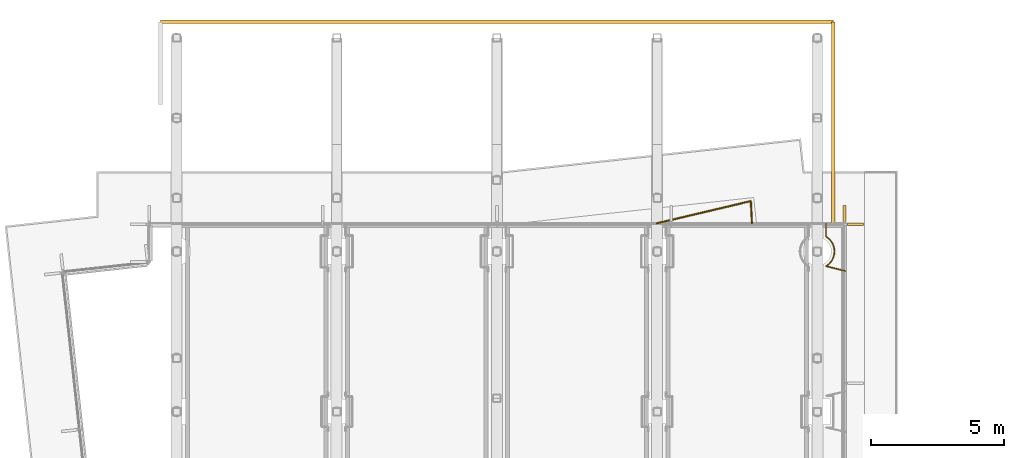
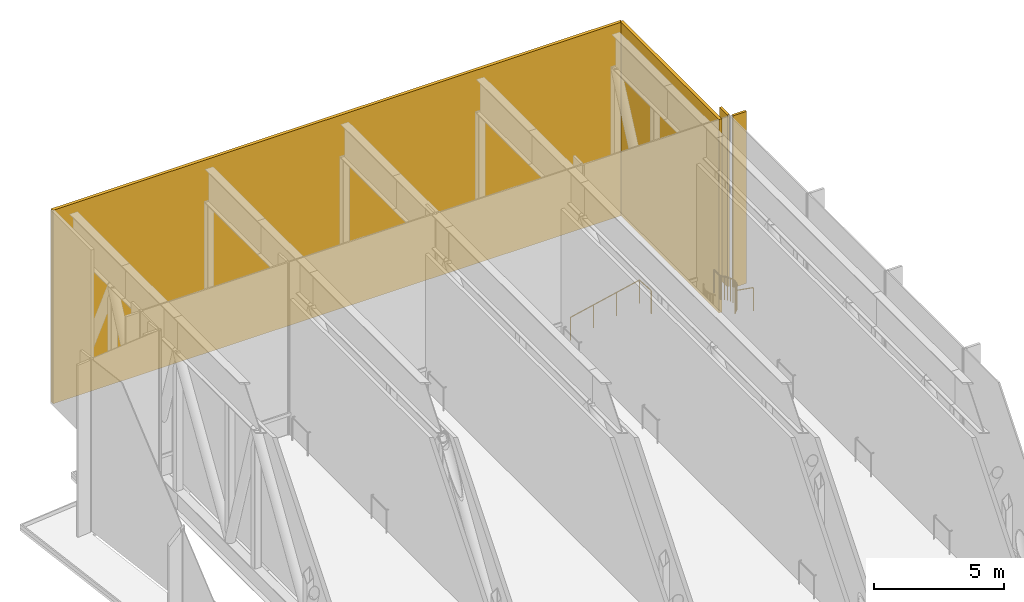
# One storey, part 22 of 22: 4 coverings, 2 railings.
"""IFC4 building model written with IfcOpenShell, lengths in metres."""

from ifc_helpers import new_model, si_unit, direction, frame, origin, origin_2d, place, context, subcontext, project, spatial, polyline, rectangle, circle, outline, extrude, material, layer, layer_set, type_object, element, save


model = new_model("IFC4")

# Units and contexts
model_context = context("Model", 3, precision=1e-05, world=origin(), true_north=direction((0.0, 1.0)))
body_context = subcontext(model_context, "Body", "Model", "MODEL_VIEW")
ifc_project = project(units=[si_unit("LENGTHUNIT", "METRE"), si_unit("AREAUNIT", "SQUARE_METRE"), si_unit("VOLUMEUNIT", "CUBIC_METRE"), si_unit("PLANEANGLEUNIT", "RADIAN"), si_unit("MASSUNIT", "GRAM", prefix="KILO")], contexts=[model_context])

# Site, building, storey
site_placement = place(None, origin())
site = spatial("IfcSite", under=ifc_project, at=site_placement, CompositionType="ELEMENT")
building_placement = place(site_placement, origin())
building = spatial("IfcBuilding", under=site, at=building_placement, Name="Welwitschia Terrace Campus", CompositionType="ELEMENT")
storey_placement = place(building_placement, frame((0.0, 0.0, 197.0)))
storey = spatial("IfcBuildingStorey", under=building, at=storey_placement, Name="L44", CompositionType="ELEMENT", Elevation=197.0)

# Coverings
ifc_material_1 = material(Name="Bronze anodised aluminium", Category="aluminium")
ifc_layer_1 = layer(ifc_material_1, 0.10009765625)
ifc_layer_set_1 = layer_set([ifc_layer_1], Name="Bronze anodised aluminium")
covering_type_1 = type_object("IfcCoveringType", Name="Bronze fin 100x600", PredefinedType="USERDEFINED", material=ifc_layer_set_1)
for number, where, z_axis, x_axis, name in (
    (1, (25.429931640625, 63.02001953125, 0.0), (0.0, 0.0, 1.0), (0.0, 1.0, 0.0), "Fin L44.4.5"),
    (2, (25.02001953125, 63.429931640625, 0.0), (0.0, 0.0, 1.0), (-1.0, 0.0, 0.0), "Fin L44.5.0"),
):
    element("IfcCovering", number, at=place(storey_placement, frame(where, z_axis=z_axis, x_axis=x_axis)), inside=storey, type_object=covering_type_1, Name=name, ObjectType="FIN", PredefinedType="USERDEFINED", context=body_context, shape_type="SweptSolid", body=[
        extrude(rectangle(XDim=0.10009765625, YDim=0.60009765625, at=origin_2d()), origin(), (0.0, 0.0, 1.0), 8.050048828125),
    ])

# Railings
ifc_material_2 = material(Name="Stainless steel grade 316", Category="steel")
railing_type = type_object("IfcRailingType", Name="Guard 1100", PredefinedType="GUARDRAIL", material=ifc_material_2)
railing_1_placement = place(storey_placement, frame((17.981689453125, 63.050048828125, 0.0)))
element("IfcRailing", 3, at=railing_1_placement, inside=storey, type_object=railing_type, Name="Guard floor edge L44.1", PredefinedType="GUARDRAIL", context=body_context, shape_type="SweptSolid", body=[
    extrude(circle(Radius=0.02392578125, at=origin_2d()), frame((0.0, 0.0, 1.076171875), z_axis=(0.973042544186, 0.230625686349, 0.0), x_axis=(-0.230625686349, 0.973042544186, 0.0)), (0.0, 0.0, 1.0), 3.6279296875),
    extrude(circle(Radius=0.02392578125, at=origin_2d()), frame((3.530029296875, 0.836669921875, 1.076171875), z_axis=(0.050417270396, -0.998728240737, 0.0), x_axis=(0.998728240737, 0.050417270396, 0.0)), (0.0, 0.0, 1.0), 0.837646484375),
    extrude(circle(Radius=0.02099609375, at=origin_2d()), origin(), (0.0, 0.0, 1.0), 1.052001953125),
    extrude(circle(Radius=0.02099609375, at=origin_2d()), frame((1.1767578125, 0.27880859375, 0.0)), (0.0, 0.0, 1.0), 1.052001953125),
    extrude(circle(Radius=0.02099609375, at=origin_2d()), frame((2.353271484375, 0.557861328125, 0.0)), (0.0, 0.0, 1.0), 1.052001953125),
    extrude(circle(Radius=0.02099609375, at=origin_2d()), frame((3.530029296875, 0.836669921875, 0.0)), (0.0, 0.0, 1.0), 1.052001953125),
    extrude(circle(Radius=0.02099609375, at=origin_2d()), frame((3.572265625, 0.0, 0.0)), (0.0, 0.0, 1.0), 1.052001953125),
])
railing_2_placement = place(storey_placement, frame((25.050048828125, 61.2666015625, 0.0)))
element("IfcRailing", 4, at=railing_2_placement, inside=storey, type_object=railing_type, Name="Guard floor edge L44.7", PredefinedType="GUARDRAIL", context=body_context, shape_type="SweptSolid", body=[
    extrude(circle(Radius=0.02392578125, at=origin_2d()), frame((0.0, 0.0, 1.076171875), z_axis=(-0.969695991308, 0.244314724158, 0.0), x_axis=(-0.244314724158, -0.969695991308, 0.0)), (0.0, 0.0, 1.0), 0.742431640625),
    extrude(circle(Radius=0.02392578125, at=origin_2d()), frame((-0.719970703125, 0.181396484375, 1.076171875), z_axis=(0.883604146744, 0.468234676052, 0.0), x_axis=(-0.468234676052, 0.883604146744, 0.0)), (0.0, 0.0, 1.0), 0.0322265625),
    extrude(circle(Radius=0.02392578125, at=origin_2d()), frame((-0.69140625, 0.196533203125, 1.076171875), z_axis=(0.773097611008, 0.634287067386, 0.0), x_axis=(-0.634287067386, 0.773097611008, 0.0)), (0.0, 0.0, 1.0), 0.126708984375),
    extrude(circle(Radius=0.02392578125, at=origin_2d()), frame((-0.593505859375, 0.27685546875, 1.076171875), z_axis=(0.634287067386, 0.773097611008, 0.0), x_axis=(-0.773097611008, 0.634287067386, 0.0)), (0.0, 0.0, 1.0), 0.126708984375),
    extrude(circle(Radius=0.02392578125, at=origin_2d()), frame((-0.51318359375, 0.374755859375, 1.076171875), z_axis=(0.470988937455, 0.882139116463, 0.0), x_axis=(-0.882139116463, 0.470988937455, 0.0)), (0.0, 0.0, 1.0), 0.12646484375),
    extrude(circle(Radius=0.02392578125, at=origin_2d()), frame((-0.45361328125, 0.486328125, 1.076171875), z_axis=(0.291238363653, 0.956650519018, 0.0), x_axis=(-0.956650519018, 0.291238363653, 0.0)), (0.0, 0.0, 1.0), 0.12646484375),
    extrude(circle(Radius=0.02392578125, at=origin_2d()), frame((-0.416748046875, 0.607421875, 1.076171875), z_axis=(0.096447487817, 0.995338074271, 0.0), x_axis=(-0.995338074271, 0.096447487817, 0.0)), (0.0, 0.0, 1.0), 0.12646484375),
    extrude(circle(Radius=0.02392578125, at=origin_2d()), frame((-0.404541015625, 0.7333984375, 1.076171875), z_axis=(-0.096447487817, 0.995338074271, 0.0), x_axis=(-0.995338074271, -0.096447487817, 0.0)), (0.0, 0.0, 1.0), 0.12646484375),
    extrude(circle(Radius=0.02392578125, at=origin_2d()), frame((-0.416748046875, 0.859375, 1.076171875), z_axis=(-0.291238363653, 0.956650519018, 0.0), x_axis=(-0.956650519018, -0.291238363653, 0.0)), (0.0, 0.0, 1.0), 0.12646484375),
    extrude(circle(Radius=0.02392578125, at=origin_2d()), frame((-0.45361328125, 0.98046875, 1.076171875), z_axis=(-0.470988937455, 0.882139116463, 0.0), x_axis=(-0.882139116463, -0.470988937455, 0.0)), (0.0, 0.0, 1.0), 0.12646484375),
    extrude(circle(Radius=0.02392578125, at=origin_2d()), frame((-0.51318359375, 1.092041015625, 1.076171875), z_axis=(-0.634287067386, 0.773097611008, 0.0), x_axis=(-0.773097611008, -0.634287067386, 0.0)), (0.0, 0.0, 1.0), 0.126708984375),
    extrude(circle(Radius=0.02392578125, at=origin_2d()), frame((-0.593505859375, 1.18994140625, 1.076171875), z_axis=(-0.773097611008, 0.634287067386, 0.0), x_axis=(-0.634287067386, -0.773097611008, 0.0)), (0.0, 0.0, 1.0), 0.126708984375),
    extrude(circle(Radius=0.02392578125, at=origin_2d()), frame((-0.69140625, 1.270263671875, 1.076171875), z_axis=(-0.883604146744, 0.468234676052, 0.0), x_axis=(-0.468234676052, -0.883604146744, 0.0)), (0.0, 0.0, 1.0), 0.0322265625),
    extrude(circle(Radius=0.02392578125, at=origin_2d()), frame((-0.719970703125, 1.285400390625, 1.076171875), z_axis=(0.0, 1.0, 0.0), x_axis=(-1.0, 0.0, 0.0)), (0.0, 0.0, 1.0), 0.498046875),
    extrude(circle(Radius=0.02099609375, at=origin_2d()), origin(), (0.0, 0.0, 1.0), 1.052001953125),
    extrude(circle(Radius=0.02099609375, at=origin_2d()), frame((-0.719970703125, 0.181396484375, 0.0)), (0.0, 0.0, 1.0), 1.052001953125),
    extrude(circle(Radius=0.02099609375, at=origin_2d()), frame((-0.69140625, 0.196533203125, 0.0)), (0.0, 0.0, 1.0), 1.052001953125),
    extrude(circle(Radius=0.02099609375, at=origin_2d()), frame((-0.593505859375, 0.27685546875, 0.0)), (0.0, 0.0, 1.0), 1.052001953125),
    extrude(circle(Radius=0.02099609375, at=origin_2d()), frame((-0.51318359375, 0.374755859375, 0.0)), (0.0, 0.0, 1.0), 1.052001953125),
    extrude(circle(Radius=0.02099609375, at=origin_2d()), frame((-0.45361328125, 0.486328125, 0.0)), (0.0, 0.0, 1.0), 1.052001953125),
    extrude(circle(Radius=0.02099609375, at=origin_2d()), frame((-0.416748046875, 0.607421875, 0.0)), (0.0, 0.0, 1.0), 1.052001953125),
    extrude(circle(Radius=0.02099609375, at=origin_2d()), frame((-0.404541015625, 0.7333984375, 0.0)), (0.0, 0.0, 1.0), 1.052001953125),
    extrude(circle(Radius=0.02099609375, at=origin_2d()), frame((-0.416748046875, 0.859375, 0.0)), (0.0, 0.0, 1.0), 1.052001953125),
    extrude(circle(Radius=0.02099609375, at=origin_2d()), frame((-0.45361328125, 0.98046875, 0.0)), (0.0, 0.0, 1.0), 1.052001953125),
    extrude(circle(Radius=0.02099609375, at=origin_2d()), frame((-0.51318359375, 1.092041015625, 0.0)), (0.0, 0.0, 1.0), 1.052001953125),
    extrude(circle(Radius=0.02099609375, at=origin_2d()), frame((-0.593505859375, 1.18994140625, 0.0)), (0.0, 0.0, 1.0), 1.052001953125),
    extrude(circle(Radius=0.02099609375, at=origin_2d()), frame((-0.69140625, 1.270263671875, 0.0)), (0.0, 0.0, 1.0), 1.052001953125),
    extrude(circle(Radius=0.02099609375, at=origin_2d()), frame((-0.719970703125, 1.285400390625, 0.0)), (0.0, 0.0, 1.0), 1.052001953125),
    extrude(circle(Radius=0.02099609375, at=origin_2d()), frame((-0.719970703125, 1.783447265625, 0.0)), (0.0, 0.0, 1.0), 1.052001953125),
])

# Coverings
ifc_material_3 = material(Name="Bronze anodised aluminium", Category="aluminium")
ifc_layer_2 = layer(ifc_material_3, 0.139892578125)
ifc_layer_set_2 = layer_set([ifc_layer_2], Name="Bronze anodised aluminium")
covering_type_2 = type_object("IfcCoveringType", Name="Soffit fascia cladding 140", PredefinedType="CLADDING", material=ifc_layer_set_2)
covering_1_placement = place(storey_placement, frame((0.0, 0.0, -1.0)))
element("IfcCovering", 5, at=covering_1_placement, inside=storey, type_object=covering_type_2, Name="Clad fascia L44.tip fascia Nt0 end", PredefinedType="CLADDING", context=body_context, shape_type="SweptSolid", body=[
    extrude(outline(polyline([(24.60009765625, 70.669921875), (-0.60009765625, 70.669921875), (-0.60009765625, 70.530029296875), (24.60009765625, 70.530029296875), (24.60009765625, 70.669921875)])), origin(), (0.0, 0.0, 1.0), 9.050048828125),
])
covering_2_placement = place(storey_placement, frame((0.0, 0.0, -1.0)))
element("IfcCovering", 6, at=covering_2_placement, inside=storey, type_object=covering_type_2, Name="Clad fascia L44.tip fascia Nt0 e", PredefinedType="CLADDING", context=body_context, shape_type="SweptSolid", body=[
    extrude(outline(polyline([(24.530029296875, 70.60009765625), (24.530029296875, 63.02001953125), (24.669921875, 63.02001953125), (24.669921875, 70.60009765625), (24.530029296875, 70.60009765625)])), origin(), (0.0, 0.0, 1.0), 9.050048828125),
])

save(model, "model.ifc")
